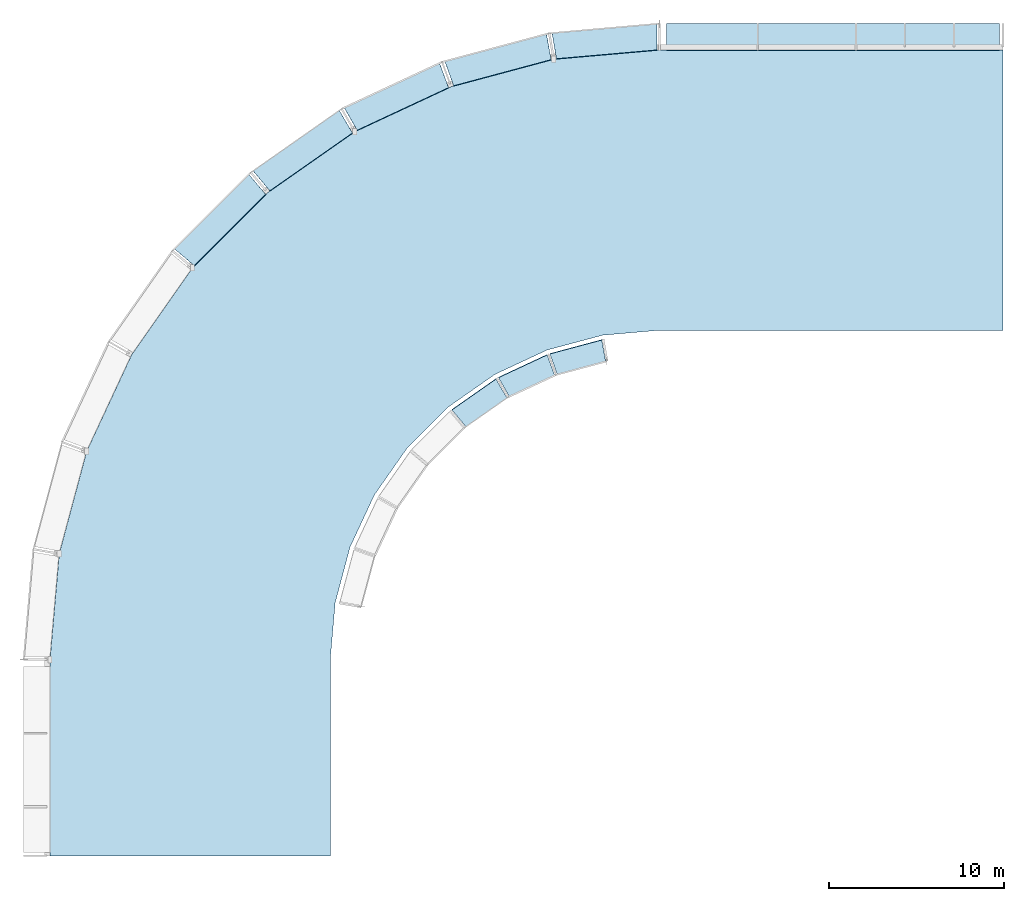
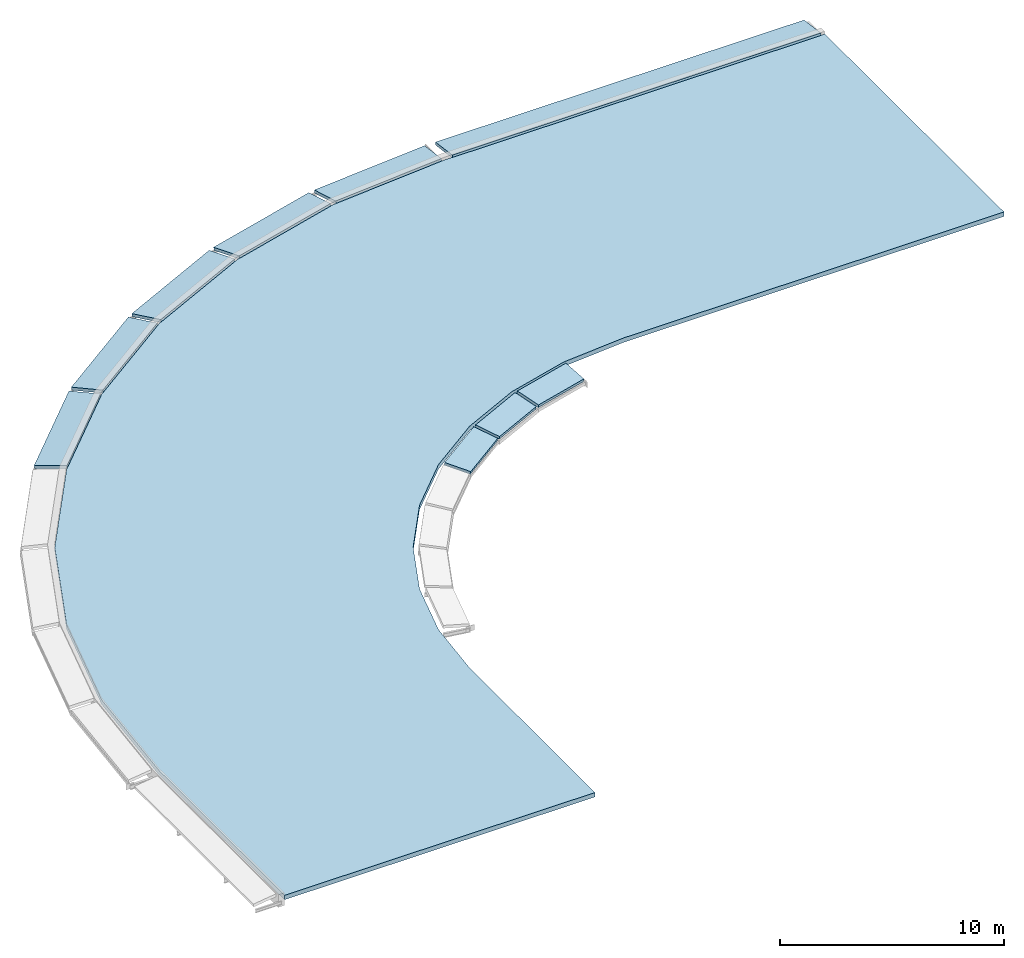
# One storey, part 2 of 6: 10 slabs, 1 element without a shape of its own.
"""IFC4 building model written with IfcOpenShell, lengths in metres."""

from ifc_helpers import new_model, si_unit, direction, frame, origin, place, context, subcontext, project, spatial, polyline, outline, extrude, material, layer, layer_set, type_object, element, aggregate, save


model = new_model("IFC4")

# Units and contexts
model_context = context("Model", 3, precision=1e-05, world=origin(), true_north=direction((0.0, 1.0)))
body_context = subcontext(model_context, "Body", "Model", "MODEL_VIEW")
ifc_project = project(units=[si_unit("LENGTHUNIT", "METRE"), si_unit("AREAUNIT", "SQUARE_METRE"), si_unit("VOLUMEUNIT", "CUBIC_METRE"), si_unit("PLANEANGLEUNIT", "RADIAN"), si_unit("MASSUNIT", "GRAM", prefix="KILO")], contexts=[model_context])

# Site, building, storey
site_placement = place(None, origin())
site = spatial("IfcSite", under=ifc_project, at=site_placement, CompositionType="ELEMENT")
building_placement = place(site_placement, origin())
building = spatial("IfcBuilding", under=site, at=building_placement, Name="Kiranvali Square Residences", CompositionType="ELEMENT")
storey_placement = place(building_placement, frame((0.0, 0.0, 52.800048828125)))
storey = spatial("IfcBuildingStorey", under=building, at=storey_placement, Name="ROOF", CompositionType="ELEMENT", Elevation=52.800048828125)

# Roof, slabs
ifc_material_1 = material(Name="Concrete M40 (40 MPa)", Category="concrete")
roof_type = type_object("IfcRoofType", Name="RF-FLAT-TOWER", PredefinedType="FLAT_ROOF", material=ifc_material_1)
roof_placement = place(storey_placement, origin())
roof = element("IfcRoof", 1, at=roof_placement, inside=storey, type_object=roof_type, Name="Block A Classical Ottoman overhanging eave roof assembly", PredefinedType="FLAT_ROOF")
ifc_material_2 = material(Name="Concrete M35 (35 MPa)", Category="concrete")
ifc_layer_1 = layer(ifc_material_2, 0.159912109375)
ifc_layer_set_1 = layer_set([ifc_layer_1], Name="Concrete M35 (35 MPa)")
slab_type_1 = type_object("IfcSlabType", Name="SLB-PITCH-160", PredefinedType="ROOF", material=ifc_layer_set_1)
slab_1_placement = place(storey_placement, frame((48.048095703125, 122.599609375, 0.119873046875), z_axis=(-0.01155371317, 0.132077386786, 0.991172071646), x_axis=(-0.996196417358, -0.087136089201, -1.070158e-06)))
slab_1 = element("IfcSlab", 2, at=slab_1_placement, type_object=slab_type_1, Name="Block A pitched Ottoman eave slab 1", PredefinedType="ROOF", context=body_context, shape_type="SweptSolid", body=[
    extrude(outline(polyline([(0.0, 0.0), (5.763376484986024, 0.0), (5.887506399633809, -1.508087265608435), (-0.12413719539198545, -1.50818230980267), (0.0, 0.0)])), origin(), (0.0, 0.0, -1.0), 0.159912109375),
])
slab_2_placement = place(storey_placement, frame((42.007568359375, 122.044677734375, 0.119873046875), z_axis=(-0.034317124777, 0.128067969101, 0.991171493858), x_axis=(-0.965926252049, -0.258817456134, -1.599867e-06)))
slab_2 = element("IfcSlab", 3, at=slab_2_placement, type_object=slab_type_1, Name="Block A pitched Ottoman eave slab 2", PredefinedType="ROOF", context=body_context, shape_type="SweptSolid", body=[
    extrude(outline(polyline([(0.0, 0.0), (5.763523189076189, -2.220446049250313e-16), (5.88773746597505, -1.5080146101160903), (-0.12428018457177165, -1.5081567011770178), (0.0, 0.0)])), origin(), (0.0, 0.0, -1.0), 0.159912109375),
])
slab_3_placement = place(storey_placement, frame((44.90087890625, 106.044189453125, 0.119873046875), z_axis=(0.041341116171, -0.154275349142, 0.987162615156), x_axis=(-0.965926606435, -0.258816133515, 3.580653e-06)))
slab_3 = element("IfcSlab", 4, at=slab_3_placement, type_object=slab_type_1, Name="Block A inner garden Ottoman eave slab 2", PredefinedType="ROOF", context=body_context, shape_type="SweptSolid", body=[
    extrude(outline(polyline([(0.0, 0.0), (3.070440168351265, 0.0), (2.9678686217545214, 1.2519646038923613), (0.10262755140085908, 1.2518315345909032), (0.0, 0.0)])), origin(), (0.0, 0.0, -1.0), 0.159912109375),
])
slab_4_placement = place(storey_placement, frame((36.155029296875, 120.448974609375, 0.119873046875), z_axis=(-0.05602724844, 0.120154987541, 0.991172904392), x_axis=(-0.906318283861, -0.422595750495, -1.546168e-06)))
slab_4 = element("IfcSlab", 5, at=slab_4_placement, type_object=slab_type_1, Name="Block A pitched Ottoman eave slab 3", PredefinedType="ROOF", context=body_context, shape_type="SweptSolid", body=[
    extrude(outline(polyline([(0.0, 0.0), (5.763304416540351, 0.0), (5.887630583694148, -1.5081369444436816), (-0.12437269624153215, -1.5082742744762854), (0.0, 0.0)])), origin(), (0.0, 0.0, -1.0), 0.159912109375),
])
slab_5_placement = place(storey_placement, frame((41.782958984375, 105.194091796875, 0.119873046875), z_axis=(0.067505589194, -0.144760890735, 0.987161222872), x_axis=(-0.906306884237, -0.422620197792, 1.928698e-06)))
slab_5 = element("IfcSlab", 6, at=slab_5_placement, type_object=slab_type_1, Name="Block A inner garden Ottoman eave slab 3", PredefinedType="ROOF", context=body_context, shape_type="SweptSolid", body=[
    extrude(outline(polyline([(0.0, 0.0), (3.070388725046991, 0.0), (2.967815518108885, 1.2518664611509276), (0.10266019540671836, 1.2517947896613018), (0.0, 0.0)])), origin(), (0.0, 0.0, -1.0), 0.159912109375),
])
slab_6_placement = place(storey_placement, frame((30.668701171875, 117.861572265625, 0.119873046875), z_axis=(-0.076044549013, 0.108603655576, 0.991172271889), x_axis=(-0.819144518915, -0.573587183545, 2.208907e-06)))
slab_6 = element("IfcSlab", 7, at=slab_6_placement, type_object=slab_type_1, Name="Block A pitched Ottoman eave slab 4", PredefinedType="ROOF", context=body_context, shape_type="SweptSolid", body=[
    extrude(outline(polyline([(0.0, 0.0), (5.763564638465768, 0.0), (5.887781227980728, -1.5082499124056705), (-0.1242130630196144, -1.5080537209843436), (0.0, 0.0)])), origin(), (0.0, 0.0, -1.0), 0.159912109375),
])
slab_7_placement = place(storey_placement, frame((38.860107421875, 103.8154296875, 0.119873046875), z_axis=(0.091616313261, -0.130854166302, 0.987159378371), x_axis=(-0.819197777689, -0.573511116717, 5.633519e-06)))
slab_7 = element("IfcSlab", 8, at=slab_7_placement, type_object=slab_type_1, Name="Block A inner garden Ottoman eave slab 4", PredefinedType="ROOF", context=body_context, shape_type="SweptSolid", body=[
    extrude(outline(polyline([(0.0, 0.0), (3.0705396456073046, 0.0), (2.9677080818851853, 1.2518459558197284), (0.10265643062916806, 1.2516366244273593), (0.0, 0.0)])), origin(), (0.0, 0.0, -1.0), 0.159912109375),
])
slab_8_placement = place(storey_placement, frame((25.71484375, 114.360595703125, 0.119873046875), z_axis=(-0.093748705889, 0.093748705889, 0.991172215252), x_axis=(-0.707106781187, -0.707106781187, 0.0)))
slab_8 = element("IfcSlab", 9, at=slab_8_placement, type_object=slab_type_1, Name="Block A pitched Ottoman eave slab 5", PredefinedType="ROOF", context=body_context, shape_type="SweptSolid", body=[
    extrude(outline(polyline([(0.0, 0.0), (5.763541747239765, 0.0), (5.8876652276287125, -1.5081469999875332), (-0.12412348038894716, -1.508146999987533), (0.0, 0.0)])), origin(), (0.0, 0.0, -1.0), 0.159912109375),
])
slab_9_placement = place(storey_placement, frame((48.60009765625, 122.60009765625, 0.119873046875), z_axis=(0.0, 0.132132016963, 0.99123212725), x_axis=(1.0, 0.0, 0.0)))
slab_9 = element("IfcSlab", 10, at=slab_9_placement, type_object=slab_type_1, Name="Block A Arm 1 pitched Ottoman eave slab", PredefinedType="ROOF", context=body_context, shape_type="SweptSolid", body=[
    extrude(outline(polyline([(0.0, 0.0), (19.0, 0.0), (19.0, 1.5132681425095111), (0.0, 1.5132681425095111), (0.0, 0.0)])), origin(), (0.0, 0.0, -1.0), 0.159912109375),
])
ifc_layer_2 = layer(ifc_material_1, 0.239990234375)
ifc_layer_set_2 = layer_set([ifc_layer_2], Name="Concrete M40 (40 MPa)")
slab_type_2 = type_object("IfcSlabType", Name="SLB-ROOF-240", PredefinedType="ROOF", material=ifc_layer_set_2)
slab_10_placement = place(storey_placement, frame((0.0, 0.0, -0.239990234375)))
slab_10 = element("IfcSlab", 11, at=slab_10_placement, type_object=slab_type_2, Name="Block A main roof slab", PredefinedType="ROOF", context=body_context, shape_type="SweptSolid", body=[
    extrude(outline(polyline([(67.800048828125, 106.60009765625), (67.800048828125, 122.60009765625), (48.199951171875, 122.60009765625), (42.156982421875, 122.0712890625), (36.297607421875, 120.501220703125), (30.800048828125, 117.937744140625), (25.8310546875, 114.458251953125), (21.541748046875, 110.1689453125), (18.062255859375, 105.199951171875), (15.498779296875, 99.702392578125), (13.9287109375, 93.843017578125), (13.39990234375, 87.800048828125), (13.39990234375, 76.60009765625), (29.39990234375, 76.60009765625), (29.39990234375, 87.800048828125), (29.685546875, 91.064697265625), (30.53369140625, 94.22998046875), (31.918701171875, 97.199951171875), (33.79833984375, 99.884521484375), (36.115478515625, 102.20166015625), (38.800048828125, 104.081298828125), (41.77001953125, 105.46630859375), (44.935302734375, 106.314453125), (48.199951171875, 106.60009765625), (67.800048828125, 106.60009765625)])), origin(), (0.0, 0.0, 1.0), 0.239990234375),
])
aggregate(roof, [slab_10, slab_1, slab_2, slab_3, slab_4, slab_5, slab_6, slab_7, slab_8, slab_9])

save(model, "model.ifc")
